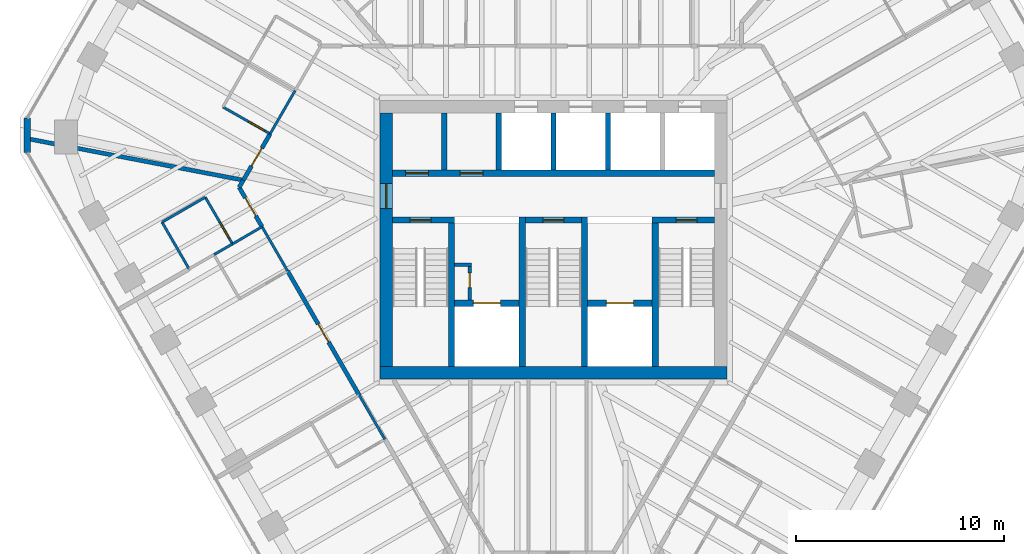
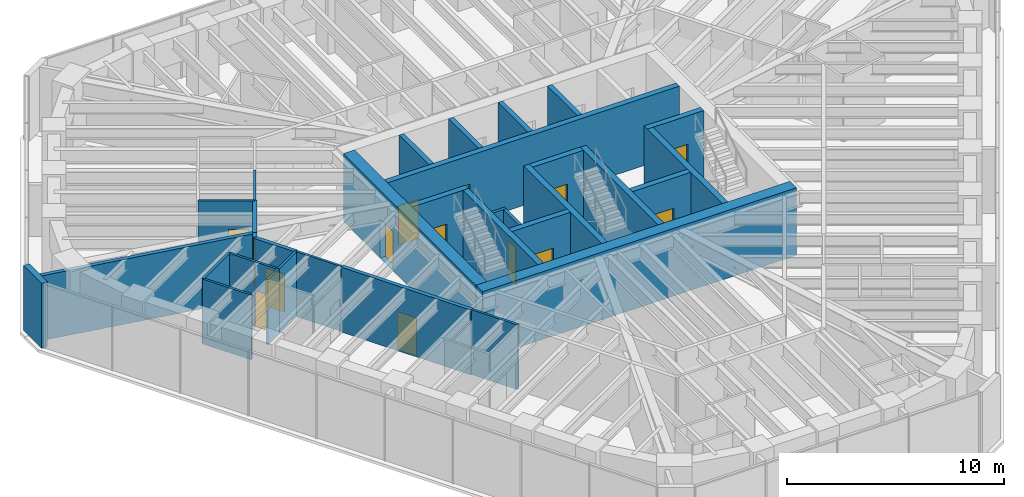
# One storey, part 10 of 14: 33 walls, 14 doors, 14 openings.
"""IFC4 building model written with IfcOpenShell, lengths in metres."""

from ifc_helpers import new_model, si_unit, direction, frame, frame_2d, origin, place, context, subcontext, project, spatial, rectangle, extrude, material, layer, layer_set, type_object, element, fill, save


model = new_model("IFC4")

# Units and contexts
model_context = context("Model", 3, precision=1e-05, world=origin(), true_north=direction((0.0, 1.0)))
body_context = subcontext(model_context, "Body", "Model", "MODEL_VIEW")
ifc_project = project(units=[si_unit("LENGTHUNIT", "METRE"), si_unit("AREAUNIT", "SQUARE_METRE"), si_unit("VOLUMEUNIT", "CUBIC_METRE"), si_unit("PLANEANGLEUNIT", "RADIAN"), si_unit("MASSUNIT", "GRAM", prefix="KILO")], contexts=[model_context])

# Site, building, storey
site_placement = place(None, origin())
site = spatial("IfcSite", under=ifc_project, at=site_placement, CompositionType="ELEMENT")
building_placement = place(site_placement, origin())
building = spatial("IfcBuilding", under=site, at=building_placement, Name="Sandreach Pilgrim Tower", CompositionType="ELEMENT")
storey_placement = place(building_placement, frame((0.0, 0.0, 260.800048828125)))
storey = spatial("IfcBuildingStorey", under=building, at=storey_placement, Name="L65", CompositionType="ELEMENT", Elevation=260.800048828125)

# Walls
ifc_material_1 = material(Name="Moisture-resistant gypsum board on steel studs", Category="steel")
ifc_layer_1 = layer(ifc_material_1, 0.1201171875)
ifc_layer_set_1 = layer_set([ifc_layer_1], Name="Bathroom partition 120")
wall_type_1 = type_object("IfcWallType", Name="Bathroom partition 120", PredefinedType="PARTITIONING", material=ifc_layer_set_1)
wall_1_placement = place(storey_placement, frame((-18.830078125, 0.85009765625, 0.0), z_axis=(0.0, 0.0, 1.0), x_axis=(0.50025099007, -0.865880446098, 0.0)))
element("IfcWall", 1, at=wall_1_placement, inside=storey, type_object=wall_type_1, Name="Bathroom partition L65-004", PredefinedType="PARTITIONING", context=body_context, shape_type="SweptSolid", body=[
    extrude(rectangle(XDim=2.598876953125, YDim=0.1201171875, at=frame_2d((1.29931640625, 0.0))), origin(), (0.0, 0.0, 1.0), 3.639892578125),
])
wall_2_placement = place(storey_placement, frame((-16.75, 2.050048828125, 0.0), z_axis=(0.0, 0.0, 1.0), x_axis=(-0.866202511239, -0.499693115345, 0.0)))
element("IfcWall", 2, at=wall_2_placement, inside=storey, type_object=wall_type_1, Name="Bathroom partition L65-007", PredefinedType="PARTITIONING", context=body_context, shape_type="SweptSolid", body=[
    extrude(rectangle(XDim=2.4013671875, YDim=0.1201171875, at=frame_2d((1.20068359375, 0.0))), origin(), (0.0, 0.0, 1.0), 3.639892578125),
])
wall_3_placement = place(storey_placement, frame((-16.330078125, -0.7099609375, 0.0), z_axis=(0.0, 0.0, 1.0), x_axis=(0.867671417222, 0.497138121387, 0.0)))
element("IfcWall", 3, at=wall_3_placement, inside=storey, type_object=wall_type_1, Name="Bathroom partition L65-008", PredefinedType="PARTITIONING", context=body_context, shape_type="SweptSolid", body=[
    extrude(rectangle(XDim=1.02587890625, YDim=0.1201171875, at=frame_2d((0.512939453125, 0.0))), origin(), (0.0, 0.0, 1.0), 3.639892578125),
])

# Wall, opening, door
wall_4_placement = place(storey_placement, frame((-15.89990234375, 6.389892578125, 0.0), z_axis=(0.0, 0.0, 1.0), x_axis=(0.869431908012, -0.494052787999, 0.0)))
wall_4 = element("IfcWall", 4, at=wall_4_placement, inside=storey, type_object=wall_type_1, Name="Bathroom partition L65-011", PredefinedType="PARTITIONING", context=body_context, shape_type="SweptSolid", body=[
    extrude(rectangle(XDim=2.610595703125, YDim=0.1201171875, at=frame_2d((1.30517578125, 0.0))), origin(), (0.0, 0.0, 1.0), 3.639892578125),
])
opening_1_placement = place(wall_4_placement, frame((1.410888671875, 0.0, 0.0)))
opening_1 = element("IfcOpeningElement", 5, at=opening_1_placement, cuts=wall_4, Name="Opening D09-16B", PredefinedType="OPENING", context=body_context, shape_type="SweptSolid", body=[
    extrude(rectangle(XDim=0.89990234375, YDim=2.030029296875, at=frame_2d((0.449951171875, 1.01513671875))), frame((0.0, 0.06005859375, 0.0), z_axis=(0.0, -1.0, 0.0), x_axis=(1.0, 0.0, 0.0)), (0.0, 0.0, 1.0), 0.1201171875),
])
ifc_material_2 = material(Name="Timber door, steel frame", Category="steel")
door_type_1 = type_object("IfcDoorType", Name="Bathroom door", OperationType="SINGLE_SWING_LEFT", PredefinedType="DOOR", material=ifc_material_2)
door_1_placement = place(opening_1_placement, origin())
door_1 = element("IfcDoor", 6, at=door_1_placement, inside=storey, type_object=door_type_1, Name="Door 6516B", OperationType="SINGLE_SWING_RIGHT", OverallHeight=2.030029296875, OverallWidth=0.89990234375, PredefinedType="DOOR", context=body_context, shape_type="SweptSolid", body=[
    extrude(rectangle(XDim=0.89990234375, YDim=2.030029296875, at=frame_2d((0.449951171875, 1.01513671875))), frame((0.0, 0.02490234375, 0.0), z_axis=(0.0, -1.0, 0.0), x_axis=(1.0, 0.0, 0.0)), (0.0, 0.0, 1.0), 0.050048828125),
])
fill(opening_1, door_1)

wall_5_placement = place(storey_placement, frame((-15.43994140625, -0.199951171875, 0.0), z_axis=(0.0, 0.0, 1.0), x_axis=(-0.503171227198, 0.864186736834, 0.0)))
wall_5 = element("IfcWall", 7, at=wall_5_placement, inside=storey, type_object=wall_type_1, Name="Bathroom partition L65-012", PredefinedType="PARTITIONING", context=body_context, shape_type="SweptSolid", body=[
    extrude(rectangle(XDim=2.603515625, YDim=0.1201171875, at=frame_2d((1.3017578125, 0.0))), origin(), (0.0, 0.0, 1.0), 3.639892578125),
])
opening_2_placement = place(wall_5_placement, frame((0.300048828125, 0.0, 0.0)))
opening_2 = element("IfcOpeningElement", 8, at=opening_2_placement, cuts=wall_5, Name="Opening D09-15B", PredefinedType="OPENING", context=body_context, shape_type="SweptSolid", body=[
    extrude(rectangle(XDim=0.89990234375, YDim=2.030029296875, at=frame_2d((0.449951171875, 1.01513671875))), frame((0.0, 0.06005859375, 0.0), z_axis=(0.0, -1.0, 0.0), x_axis=(1.0, 0.0, 0.0)), (0.0, 0.0, 1.0), 0.1201171875),
])
door_2_placement = place(opening_2_placement, origin())
door_2 = element("IfcDoor", 9, at=door_2_placement, inside=storey, type_object=door_type_1, Name="Door 6515B", OperationType="SINGLE_SWING_LEFT", OverallHeight=2.030029296875, OverallWidth=0.89990234375, PredefinedType="DOOR", context=body_context, shape_type="SweptSolid", body=[
    extrude(rectangle(XDim=0.89990234375, YDim=2.030029296875, at=frame_2d((0.449951171875, 1.01513671875))), frame((0.0, 0.02490234375, 0.0), z_axis=(0.0, -1.0, 0.0), x_axis=(1.0, 0.0, 0.0)), (0.0, 0.0, 1.0), 0.050048828125),
])
fill(opening_2, door_2)

# Walls
wall_6_placement = place(storey_placement, frame((-15.43994140625, -0.199951171875, 0.0), z_axis=(0.0, 0.0, 1.0), x_axis=(0.863304753898, 0.504682971673, 0.0)))
element("IfcWall", 10, at=wall_6_placement, inside=storey, type_object=wall_type_1, Name="Bathroom partition L65-013", PredefinedType="PARTITIONING", context=body_context, shape_type="SweptSolid", body=[
    extrude(rectangle(XDim=1.644775390625, YDim=0.1201171875, at=frame_2d((0.822265625, 0.0))), origin(), (0.0, 0.0, 1.0), 3.639892578125),
])
wall_7_placement = place(storey_placement, frame((-14.02001953125, 0.6298828125, 0.0), z_axis=(0.0, 0.0, 1.0), x_axis=(0.500089055364, -0.86597398154, 0.0)))
element("IfcWall", 11, at=wall_7_placement, inside=storey, type_object=wall_type_1, Name="Bathroom partition L65-020", PredefinedType="PARTITIONING", context=body_context, shape_type="SweptSolid", body=[
    extrude(rectangle(XDim=2.45947265625, YDim=0.1201171875, at=frame_2d((1.229736328125, 0.0))), origin(), (0.0, 0.0, 1.0), 3.639892578125),
])
wall_8_placement = place(storey_placement, frame((-13.6298828125, 5.10009765625, 0.0), z_axis=(0.0, 0.0, 1.0), x_axis=(0.499737123639, 0.866177122335, 0.0)))
element("IfcWall", 12, at=wall_8_placement, inside=storey, type_object=wall_type_1, Name="Bathroom partition L65-021", PredefinedType="PARTITIONING", context=body_context, shape_type="SweptSolid", body=[
    extrude(rectangle(XDim=2.401123046875, YDim=0.1201171875, at=frame_2d((1.20068359375, 0.0))), origin(), (0.0, 0.0, 1.0), 3.639892578125),
])
wall_9_placement = place(storey_placement, frame((-9.340087890625, -7.47998046875, 0.0), z_axis=(0.0, 0.0, 1.0), x_axis=(0.501813488763, -0.864975850817, 0.0)))
element("IfcWall", 13, at=wall_9_placement, inside=storey, type_object=wall_type_1, Name="Bathroom partition L65-034", PredefinedType="PARTITIONING", context=body_context, shape_type="SweptSolid", body=[
    extrude(rectangle(XDim=2.451171875, YDim=0.1201171875, at=frame_2d((1.2255859375, 0.0))), origin(), (0.0, 0.0, 1.0), 3.639892578125),
])
ifc_material_3 = material(Name="Concrete 10000 psi", Category="concrete")
ifc_layer_2 = layer(ifc_material_3, 0.300048828125)
ifc_layer_set_2 = layer_set([ifc_layer_2], Name="Core inner wall 300")
wall_type_2 = type_object("IfcWallType", Name="Core inner wall 300", PredefinedType="SHEAR", material=ifc_layer_set_2)
for number, where, z_axis, x_axis, name in (
    (14, (-4.89990234375, -6.10009765625, 0.0), (0.0, 0.0, 1.0), (0.0, 1.0, 0.0), "Core wall I0 L65"),
    (15, (-1.5, -6.10009765625, 0.0), (0.0, 0.0, 1.0), (0.0, 1.0, 0.0), "Core wall I1 L65"),
    (16, (1.5, -6.10009765625, 0.0), (0.0, 0.0, 1.0), (0.0, 1.0, 0.0), "Core wall I2 L65"),
    (17, (4.89990234375, -6.10009765625, 0.0), (0.0, 0.0, 1.0), (0.0, 1.0, 0.0), "Core wall I3 L65"),
):
    element("IfcWall", number, at=place(storey_placement, frame(where, z_axis=z_axis, x_axis=x_axis)), inside=storey, type_object=wall_type_2, Name=name, PredefinedType="SHEAR", context=body_context, shape_type="SweptSolid", body=[
        extrude(rectangle(XDim=7.2001953125, YDim=0.300048828125, at=frame_2d((3.60009765625, 0.0))), origin(), (0.0, 0.0, 1.0), 3.800048828125),
    ])

# Wall, opening, door
wall_10_placement = place(storey_placement, frame((-7.75, 0.949951171875, 0.0), z_axis=(0.0, 0.0, 1.0), x_axis=(1.0, 0.0, 0.0)))
wall_10 = element("IfcWall", 18, at=wall_10_placement, inside=storey, type_object=wall_type_2, Name="Core wall SN1 L65", PredefinedType="SHEAR", context=body_context, shape_type="SweptSolid", body=[
    extrude(rectangle(XDim=3.0, YDim=0.300048828125, at=frame_2d((1.5, 0.0))), origin(), (0.0, 0.0, 1.0), 3.800048828125),
])
opening_3_placement = place(wall_10_placement, frame((0.85009765625, 0.0, 0.0)))
opening_3 = element("IfcOpeningElement", 19, at=opening_3_placement, cuts=wall_10, Name="Opening D10S-ST1", PredefinedType="OPENING", context=body_context, shape_type="SweptSolid", body=[
    extrude(rectangle(XDim=1.0, YDim=2.199951171875, at=frame_2d((0.5, 1.10009765625))), frame((0.0, 0.14990234375, 0.0), z_axis=(0.0, -1.0, 0.0), x_axis=(1.0, 0.0, 0.0)), (0.0, 0.0, 1.0), 0.300048828125),
])
ifc_material_4 = material(Name="Steel door and frame", Category="steel")
door_type_2 = type_object("IfcDoorType", Name="Stair door", OperationType="SINGLE_SWING_LEFT", PredefinedType="DOOR", material=ifc_material_4)
door_3_placement = place(opening_3_placement, origin())
door_3 = element("IfcDoor", 20, at=door_3_placement, inside=storey, type_object=door_type_2, Name="Stair door ST1 L65", OperationType="SINGLE_SWING_LEFT", OverallHeight=2.199951171875, OverallWidth=1.0, PredefinedType="DOOR", context=body_context, shape_type="SweptSolid", body=[
    extrude(rectangle(XDim=1.0, YDim=2.199951171875, at=frame_2d((0.5, 1.10009765625))), frame((0.0, 0.02490234375, 0.0), z_axis=(0.0, -1.0, 0.0), x_axis=(1.0, 0.0, 0.0)), (0.0, 0.0, 1.0), 0.050048828125),
])
fill(opening_3, door_3)

wall_11_placement = place(storey_placement, frame((-1.35009765625, 0.949951171875, 0.0), z_axis=(0.0, 0.0, 1.0), x_axis=(1.0, 0.0, 0.0)))
wall_11 = element("IfcWall", 21, at=wall_11_placement, inside=storey, type_object=wall_type_2, Name="Core wall SN3 L65", PredefinedType="SHEAR", context=body_context, shape_type="SweptSolid", body=[
    extrude(rectangle(XDim=2.7001953125, YDim=0.300048828125, at=frame_2d((1.35009765625, 0.0))), origin(), (0.0, 0.0, 1.0), 3.800048828125),
])
opening_4_placement = place(wall_11_placement, frame((0.85009765625, 0.0, 0.0)))
opening_4 = element("IfcOpeningElement", 22, at=opening_4_placement, cuts=wall_11, Name="Opening D10S-ST3", PredefinedType="OPENING", context=body_context, shape_type="SweptSolid", body=[
    extrude(rectangle(XDim=1.0, YDim=2.199951171875, at=frame_2d((0.5, 1.10009765625))), frame((0.0, 0.14990234375, 0.0), z_axis=(0.0, -1.0, 0.0), x_axis=(1.0, 0.0, 0.0)), (0.0, 0.0, 1.0), 0.300048828125),
])
door_4_placement = place(opening_4_placement, origin())
door_4 = element("IfcDoor", 23, at=door_4_placement, inside=storey, type_object=door_type_2, Name="Stair door ST3 L65", OperationType="SINGLE_SWING_LEFT", OverallHeight=2.199951171875, OverallWidth=1.0, PredefinedType="DOOR", context=body_context, shape_type="SweptSolid", body=[
    extrude(rectangle(XDim=1.0, YDim=2.199951171875, at=frame_2d((0.5, 1.10009765625))), frame((0.0, 0.02490234375, 0.0), z_axis=(0.0, -1.0, 0.0), x_axis=(1.0, 0.0, 0.0)), (0.0, 0.0, 1.0), 0.050048828125),
])
fill(opening_4, door_4)

wall_12_placement = place(storey_placement, frame((4.75, 0.949951171875, 0.0), z_axis=(0.0, 0.0, 1.0), x_axis=(1.0, 0.0, 0.0)))
wall_12 = element("IfcWall", 24, at=wall_12_placement, inside=storey, type_object=wall_type_2, Name="Core wall SN2 L65", PredefinedType="SHEAR", context=body_context, shape_type="SweptSolid", body=[
    extrude(rectangle(XDim=3.0, YDim=0.300048828125, at=frame_2d((1.5, 0.0))), origin(), (0.0, 0.0, 1.0), 3.800048828125),
])
opening_5_placement = place(wall_12_placement, frame((1.14990234375, 0.0, 0.0)))
opening_5 = element("IfcOpeningElement", 25, at=opening_5_placement, cuts=wall_12, Name="Opening D10S-ST2", PredefinedType="OPENING", context=body_context, shape_type="SweptSolid", body=[
    extrude(rectangle(XDim=1.0, YDim=2.199951171875, at=frame_2d((0.5, 1.10009765625))), frame((0.0, 0.14990234375, 0.0), z_axis=(0.0, -1.0, 0.0), x_axis=(1.0, 0.0, 0.0)), (0.0, 0.0, 1.0), 0.300048828125),
])
door_5_placement = place(opening_5_placement, origin())
door_5 = element("IfcDoor", 26, at=door_5_placement, inside=storey, type_object=door_type_2, Name="Stair door ST2 L65", OperationType="SINGLE_SWING_RIGHT", OverallHeight=2.199951171875, OverallWidth=1.0, PredefinedType="DOOR", context=body_context, shape_type="SweptSolid", body=[
    extrude(rectangle(XDim=1.0, YDim=2.199951171875, at=frame_2d((0.5, 1.10009765625))), frame((0.0, 0.02490234375, 0.0), z_axis=(0.0, -1.0, 0.0), x_axis=(1.0, 0.0, 0.0)), (0.0, 0.0, 1.0), 0.050048828125),
])
fill(opening_5, door_5)

wall_13_placement = place(storey_placement, frame((-4.75, -3.050048828125, 0.0), z_axis=(0.0, 0.0, 1.0), x_axis=(1.0, 0.0, 0.0)))
wall_13 = element("IfcWall", 27, at=wall_13_placement, inside=storey, type_object=wall_type_2, Name="Core wall FL1 L65", PredefinedType="SHEAR", context=body_context, shape_type="SweptSolid", body=[
    extrude(rectangle(XDim=3.10009765625, YDim=0.300048828125, at=frame_2d((1.550048828125, 0.0))), origin(), (0.0, 0.0, 1.0), 3.800048828125),
])
opening_6_placement = place(wall_13_placement, frame((0.89990234375, 0.0, 0.0)))
opening_6 = element("IfcOpeningElement", 28, at=opening_6_placement, cuts=wall_13, Name="Opening LD13", PredefinedType="OPENING", context=body_context, shape_type="SweptSolid", body=[
    extrude(rectangle(XDim=1.300048828125, YDim=2.10009765625, at=frame_2d((0.64990234375, 1.050048828125))), frame((0.0, 0.14990234375, 0.0), z_axis=(0.0, -1.0, 0.0), x_axis=(1.0, 0.0, 0.0)), (0.0, 0.0, 1.0), 0.300048828125),
])
ifc_material_5 = material(Name="Steel door and frame", Category="steel")
door_type_3 = type_object("IfcDoorType", Name="Fire service lift landing door", OperationType="DOUBLE_DOOR_SLIDING", PredefinedType="DOOR", material=ifc_material_5)
door_6_placement = place(opening_6_placement, origin())
door_6 = element("IfcDoor", 29, at=door_6_placement, inside=storey, type_object=door_type_3, Name="Lift landing door FS1 L65", OperationType="DOUBLE_DOOR_SLIDING", OverallHeight=2.10009765625, OverallWidth=1.300048828125, PredefinedType="DOOR", context=body_context, shape_type="SweptSolid", body=[
    extrude(rectangle(XDim=1.300048828125, YDim=2.10009765625, at=frame_2d((0.64990234375, 1.050048828125))), frame((0.0, 0.02490234375, 0.0), z_axis=(0.0, -1.0, 0.0), x_axis=(1.0, 0.0, 0.0)), (0.0, 0.0, 1.0), 0.050048828125),
])
fill(opening_6, door_6)

wall_14_placement = place(storey_placement, frame((1.64990234375, -3.050048828125, 0.0), z_axis=(0.0, 0.0, 1.0), x_axis=(1.0, 0.0, 0.0)))
wall_14 = element("IfcWall", 30, at=wall_14_placement, inside=storey, type_object=wall_type_2, Name="Core wall FL2 L65", PredefinedType="SHEAR", context=body_context, shape_type="SweptSolid", body=[
    extrude(rectangle(XDim=3.10009765625, YDim=0.300048828125, at=frame_2d((1.550048828125, 0.0))), origin(), (0.0, 0.0, 1.0), 3.800048828125),
])
opening_7_placement = place(wall_14_placement, frame((0.89990234375, 0.0, 0.0)))
opening_7 = element("IfcOpeningElement", 31, at=opening_7_placement, cuts=wall_14, Name="Opening LD13", PredefinedType="OPENING", context=body_context, shape_type="SweptSolid", body=[
    extrude(rectangle(XDim=1.300048828125, YDim=2.10009765625, at=frame_2d((0.64990234375, 1.050048828125))), frame((0.0, 0.14990234375, 0.0), z_axis=(0.0, -1.0, 0.0), x_axis=(1.0, 0.0, 0.0)), (0.0, 0.0, 1.0), 0.300048828125),
])
door_7_placement = place(opening_7_placement, origin())
door_7 = element("IfcDoor", 32, at=door_7_placement, inside=storey, type_object=door_type_3, Name="Lift landing door FS2 L65", OperationType="DOUBLE_DOOR_SLIDING", OverallHeight=2.10009765625, OverallWidth=1.300048828125, PredefinedType="DOOR", context=body_context, shape_type="SweptSolid", body=[
    extrude(rectangle(XDim=1.300048828125, YDim=2.10009765625, at=frame_2d((0.64990234375, 1.050048828125))), frame((0.0, 0.02490234375, 0.0), z_axis=(0.0, -1.0, 0.0), x_axis=(1.0, 0.0, 0.0)), (0.0, 0.0, 1.0), 0.050048828125),
])
fill(opening_7, door_7)

# Wall, openings, doors
wall_15_placement = place(storey_placement, frame((-7.75, 3.199951171875, 0.0), z_axis=(0.0, 0.0, 1.0), x_axis=(1.0, 0.0, 0.0)))
wall_15 = element("IfcWall", 33, at=wall_15_placement, inside=storey, type_object=wall_type_2, Name="Core wall PN L65", PredefinedType="SHEAR", context=body_context, shape_type="SweptSolid", body=[
    extrude(rectangle(XDim=15.5, YDim=0.300048828125, at=frame_2d((7.75, 0.0))), origin(), (0.0, 0.0, 1.0), 3.800048828125),
])
opening_8_placement = place(wall_15_placement, frame((0.637451171875, 0.0, 0.0)))
opening_8 = element("IfcOpeningElement", 34, at=opening_8_placement, cuts=wall_15, Name="Opening D11L", PredefinedType="OPENING", context=body_context, shape_type="SweptSolid", body=[
    extrude(rectangle(XDim=1.10009765625, YDim=2.199951171875, at=frame_2d((0.550048828125, 1.10009765625))), frame((0.0, 0.14990234375, 0.0), z_axis=(0.0, -1.0, 0.0), x_axis=(1.0, 0.0, 0.0)), (0.0, 0.0, 1.0), 0.300048828125),
])
opening_9_placement = place(wall_15_placement, frame((3.262451171875, 0.0, 0.0)))
opening_9 = element("IfcOpeningElement", 35, at=opening_9_placement, cuts=wall_15, Name="Opening D11L", PredefinedType="OPENING", context=body_context, shape_type="SweptSolid", body=[
    extrude(rectangle(XDim=1.10009765625, YDim=2.199951171875, at=frame_2d((0.550048828125, 1.10009765625))), frame((0.0, 0.14990234375, 0.0), z_axis=(0.0, -1.0, 0.0), x_axis=(1.0, 0.0, 0.0)), (0.0, 0.0, 1.0), 0.300048828125),
])
ifc_material_6 = material(Name="Steel door and frame, smoke seals", Category="steel")
door_type_4 = type_object("IfcDoorType", Name="Core room door", OperationType="SINGLE_SWING_LEFT", PredefinedType="DOOR", material=ifc_material_6)
door_8_placement = place(opening_8_placement, origin())
door_8 = element("IfcDoor", 36, at=door_8_placement, inside=storey, type_object=door_type_4, Name="Door butler pantry 65K1", OperationType="SINGLE_SWING_LEFT", OverallHeight=2.199951171875, OverallWidth=1.10009765625, PredefinedType="DOOR", context=body_context, shape_type="SweptSolid", body=[
    extrude(rectangle(XDim=1.10009765625, YDim=2.199951171875, at=frame_2d((0.550048828125, 1.10009765625))), frame((0.0, 0.02490234375, 0.0), z_axis=(0.0, -1.0, 0.0), x_axis=(1.0, 0.0, 0.0)), (0.0, 0.0, 1.0), 0.050048828125),
])
fill(opening_8, door_8)
door_9_placement = place(opening_9_placement, origin())
door_9 = element("IfcDoor", 37, at=door_9_placement, inside=storey, type_object=door_type_4, Name="Door storage room 65K2", OperationType="SINGLE_SWING_LEFT", OverallHeight=2.199951171875, OverallWidth=1.10009765625, PredefinedType="DOOR", context=body_context, shape_type="SweptSolid", body=[
    extrude(rectangle(XDim=1.10009765625, YDim=2.199951171875, at=frame_2d((0.550048828125, 1.10009765625))), frame((0.0, 0.02490234375, 0.0), z_axis=(0.0, -1.0, 0.0), x_axis=(1.0, 0.0, 0.0)), (0.0, 0.0, 1.0), 0.050048828125),
])
fill(opening_9, door_9)

# Wall
ifc_material_7 = material(Name="Concrete 10000 psi", Category="concrete")
ifc_layer_3 = layer(ifc_material_7, 0.60009765625)
ifc_layer_set_3 = layer_set([ifc_layer_3], Name="Core wall 600")
wall_type_3 = type_object("IfcWallType", Name="Core wall 600", PredefinedType="SHEAR", material=ifc_layer_set_3)
wall_16_placement = place(storey_placement, frame((-8.35009765625, -6.39990234375, 0.0), z_axis=(0.0, 0.0, 1.0), x_axis=(1.0, 0.0, 0.0)))
element("IfcWall", 38, at=wall_16_placement, inside=storey, type_object=wall_type_3, Name="Core wall S L65", PredefinedType="SHEAR", context=body_context, shape_type="SweptSolid", body=[
    extrude(rectangle(XDim=16.7001953125, YDim=0.60009765625, at=frame_2d((8.35009765625, 0.0))), origin(), (0.0, 0.0, 1.0), 3.800048828125),
])

# Wall, opening, door
wall_17_placement = place(storey_placement, frame((-8.050048828125, -6.10009765625, 0.0), z_axis=(0.0, 0.0, 1.0), x_axis=(0.0, 1.0, 0.0)))
wall_17 = element("IfcWall", 39, at=wall_17_placement, inside=storey, type_object=wall_type_3, Name="Core wall W L65", PredefinedType="SHEAR", context=body_context, shape_type="SweptSolid", body=[
    extrude(rectangle(XDim=12.2001953125, YDim=0.60009765625, at=frame_2d((6.10009765625, 0.0))), origin(), (0.0, 0.0, 1.0), 3.800048828125),
])
opening_10_placement = place(wall_17_placement, frame((7.60009765625, 0.0, 0.0)))
opening_10 = element("IfcOpeningElement", 40, at=opening_10_placement, cuts=wall_17, Name="Opening D12F-W", PredefinedType="OPENING", context=body_context, shape_type="SweptSolid", body=[
    extrude(rectangle(XDim=1.199951171875, YDim=2.199951171875, at=frame_2d((0.60009765625, 1.10009765625))), frame((0.0, 0.300048828125, 0.0), z_axis=(0.0, -1.0, 0.0), x_axis=(1.0, 0.0, 0.0)), (0.0, 0.0, 1.0), 0.60009765625),
])
ifc_material_8 = material(Name="Steel door and frame", Category="steel")
door_type_5 = type_object("IfcDoorType", Name="Fire lobby door", OperationType="SINGLE_SWING_LEFT", PredefinedType="DOOR", material=ifc_material_8)
door_10_placement = place(opening_10_placement, origin())
door_10 = element("IfcDoor", 41, at=door_10_placement, inside=storey, type_object=door_type_5, Name="Fire service lobby door W L65", OperationType="SINGLE_SWING_RIGHT", OverallHeight=2.199951171875, OverallWidth=1.199951171875, PredefinedType="DOOR", context=body_context, shape_type="SweptSolid", body=[
    extrude(rectangle(XDim=1.199951171875, YDim=2.199951171875, at=frame_2d((0.60009765625, 1.10009765625))), frame((0.0, 0.02490234375, 0.0), z_axis=(0.0, -1.0, 0.0), x_axis=(1.0, 0.0, 0.0)), (0.0, 0.0, 1.0), 0.050048828125),
])
fill(opening_10, door_10)

# Wall
ifc_material_9 = material(Name="Gypsum board on steel studs, two layers each side", Category="steel")
ifc_layer_4 = layer(ifc_material_9, 0.199951171875)
ifc_layer_set_4 = layer_set([ifc_layer_4], Name="Corridor wall 200")
wall_type_4 = type_object("IfcWallType", Name="Corridor wall 200", PredefinedType="PARTITIONING", material=ifc_layer_set_4)
wall_18_placement = place(storey_placement, frame((-15.1201171875, 2.530029296875, 0.0), z_axis=(0.0, 0.0, 1.0), x_axis=(0.507290461451, 0.861775137562, 0.0)))
element("IfcWall", 42, at=wall_18_placement, inside=storey, type_object=wall_type_4, Name="Corridor wall L65-014", PredefinedType="PARTITIONING", context=body_context, shape_type="SweptSolid", body=[
    extrude(rectangle(XDim=0.39453125, YDim=0.199951171875, at=frame_2d((0.197265625, 0.0))), origin(), (0.0, 0.0, 1.0), 3.639892578125),
])

# Wall, opening, door
wall_19_placement = place(storey_placement, frame((-15.1201171875, 2.530029296875, 0.0), z_axis=(0.0, 0.0, 1.0), x_axis=(0.501088872721, -0.865395829453, 0.0)))
wall_19 = element("IfcWall", 43, at=wall_19_placement, inside=storey, type_object=wall_type_4, Name="Corridor wall L65-015", PredefinedType="PARTITIONING", context=body_context, shape_type="SweptSolid", body=[
    extrude(rectangle(XDim=2.1953125, YDim=0.199951171875, at=frame_2d((1.09765625, 0.0))), origin(), (0.0, 0.0, 1.0), 3.639892578125),
])
opening_11_placement = place(wall_19_placement, frame((0.59765625, 0.0, 0.0)))
opening_11 = element("IfcOpeningElement", 44, at=opening_11_placement, cuts=wall_19, Name="Opening D10-15", PredefinedType="OPENING", context=body_context, shape_type="SweptSolid", body=[
    extrude(rectangle(XDim=1.0, YDim=2.1298828125, at=frame_2d((0.5, 1.06494140625))), frame((0.0, 0.10009765625, 0.0), z_axis=(0.0, -1.0, 0.0), x_axis=(1.0, 0.0, 0.0)), (0.0, 0.0, 1.0), 0.199951171875),
])
ifc_material_10 = material(Name="Steel door and frame", Category="steel")
door_type_6 = type_object("IfcDoorType", Name="Guest room entry door", OperationType="SINGLE_SWING_LEFT", PredefinedType="DOOR", material=ifc_material_10)
door_11_placement = place(opening_11_placement, origin())
door_11 = element("IfcDoor", 45, at=door_11_placement, inside=storey, type_object=door_type_6, Name="Door 6515", OperationType="SINGLE_SWING_LEFT", OverallHeight=2.1298828125, OverallWidth=1.0, PredefinedType="DOOR", context=body_context, shape_type="SweptSolid", body=[
    extrude(rectangle(XDim=1.0, YDim=2.1298828125, at=frame_2d((0.5, 1.06494140625))), frame((0.0, 0.02490234375, 0.0), z_axis=(0.0, -1.0, 0.0), x_axis=(1.0, 0.0, 0.0)), (0.0, 0.0, 1.0), 0.050048828125),
])
fill(opening_11, door_11)

wall_20_placement = place(storey_placement, frame((-14.919921875, 2.8701171875, 0.0), z_axis=(0.0, 0.0, 1.0), x_axis=(0.500714932888, 0.865612243434, 0.0)))
wall_20 = element("IfcWall", 46, at=wall_20_placement, inside=storey, type_object=wall_type_4, Name="Corridor wall L65-017", PredefinedType="PARTITIONING", context=body_context, shape_type="SweptSolid", body=[
    extrude(rectangle(XDim=2.575927734375, YDim=0.199951171875, at=frame_2d((1.2880859375, 0.0))), origin(), (0.0, 0.0, 1.0), 3.639892578125),
])
opening_12_placement = place(wall_20_placement, frame((0.7880859375, 0.0, 0.0)))
opening_12 = element("IfcOpeningElement", 47, at=opening_12_placement, cuts=wall_20, Name="Opening D10-16", PredefinedType="OPENING", context=body_context, shape_type="SweptSolid", body=[
    extrude(rectangle(XDim=1.0, YDim=2.1298828125, at=frame_2d((0.5, 1.06494140625))), frame((0.0, 0.10009765625, 0.0), z_axis=(0.0, -1.0, 0.0), x_axis=(1.0, 0.0, 0.0)), (0.0, 0.0, 1.0), 0.199951171875),
])
door_12_placement = place(opening_12_placement, origin())
door_12 = element("IfcDoor", 48, at=door_12_placement, inside=storey, type_object=door_type_6, Name="Door 6516", OperationType="SINGLE_SWING_LEFT", OverallHeight=2.1298828125, OverallWidth=1.0, PredefinedType="DOOR", context=body_context, shape_type="SweptSolid", body=[
    extrude(rectangle(XDim=1.0, YDim=2.1298828125, at=frame_2d((0.5, 1.06494140625))), frame((0.0, 0.02490234375, 0.0), z_axis=(0.0, -1.0, 0.0), x_axis=(1.0, 0.0, 0.0)), (0.0, 0.0, 1.0), 0.050048828125),
])
fill(opening_12, door_12)

wall_21_placement = place(storey_placement, frame((-12.7900390625, -1.5, 0.0), z_axis=(0.0, 0.0, 1.0), x_axis=(0.499718371597, -0.866187940974, 0.0)))
wall_21 = element("IfcWall", 49, at=wall_21_placement, inside=storey, type_object=wall_type_4, Name="Corridor wall L65-023", PredefinedType="PARTITIONING", context=body_context, shape_type="SweptSolid", body=[
    extrude(rectangle(XDim=6.90380859375, YDim=0.199951171875, at=frame_2d((3.451904296875, 0.0))), origin(), (0.0, 0.0, 1.0), 3.639892578125),
])
opening_13_placement = place(wall_21_placement, frame((2.951904296875, 0.0, 0.0)))
opening_13 = element("IfcOpeningElement", 50, at=opening_13_placement, cuts=wall_21, Name="Opening D10-14", PredefinedType="OPENING", context=body_context, shape_type="SweptSolid", body=[
    extrude(rectangle(XDim=1.0, YDim=2.1298828125, at=frame_2d((0.5, 1.06494140625))), frame((0.0, 0.10009765625, 0.0), z_axis=(0.0, -1.0, 0.0), x_axis=(1.0, 0.0, 0.0)), (0.0, 0.0, 1.0), 0.199951171875),
])
door_13_placement = place(opening_13_placement, origin())
door_13 = element("IfcDoor", 51, at=door_13_placement, inside=storey, type_object=door_type_6, Name="Door 6514", OperationType="SINGLE_SWING_LEFT", OverallHeight=2.1298828125, OverallWidth=1.0, PredefinedType="DOOR", context=body_context, shape_type="SweptSolid", body=[
    extrude(rectangle(XDim=1.0, YDim=2.1298828125, at=frame_2d((0.5, 1.06494140625))), frame((0.0, 0.02490234375, 0.0), z_axis=(0.0, -1.0, 0.0), x_axis=(1.0, 0.0, 0.0)), (0.0, 0.0, 1.0), 0.050048828125),
])
fill(opening_13, door_13)

# Wall
ifc_material_11 = material(Name="Double steel stud acoustic wall, gypsum board", Category="steel")
ifc_layer_5 = layer(ifc_material_11, 0.199951171875)
ifc_layer_set_5 = layer_set([ifc_layer_5], Name="Party wall 200")
wall_type_5 = type_object("IfcWallType", Name="Party wall 200", PredefinedType="PARTITIONING", material=ifc_layer_set_5)
wall_22_placement = place(storey_placement, frame((-25.340576171875, 4.874267578125, 0.0), z_axis=(0.0, 0.0, 1.0), x_axis=(0.982001168061, -0.188874841966, 0.0)))
element("IfcWall", 52, at=wall_22_placement, inside=storey, type_object=wall_type_5, Name="Party wall L65-001", PredefinedType="PARTITIONING", context=body_context, shape_type="SweptSolid", body=[
    extrude(rectangle(XDim=10.556640625, YDim=0.199951171875, at=frame_2d((5.2783203125, 0.0))), origin(), (0.0, 0.0, 1.0), 3.639892578125),
])

# Wall, opening, door
ifc_material_12 = material(Name="Gypsum shaft wall on steel studs, shaft liner board", Category="steel")
ifc_layer_6 = layer(ifc_material_12, 0.14990234375)
ifc_layer_set_6 = layer_set([ifc_layer_6], Name="Riser shaft wall 150")
wall_type_6 = type_object("IfcWallType", Name="Riser shaft wall 150", PredefinedType="PARTITIONING", material=ifc_layer_set_6)
wall_23_placement = place(storey_placement, frame((-4.02490234375, -2.89990234375, 0.0), z_axis=(0.0, 0.0, 1.0), x_axis=(0.0, 1.0, 0.0)))
wall_23 = element("IfcWall", 53, at=wall_23_placement, inside=storey, type_object=wall_type_6, Name="Riser partition L65 side", PredefinedType="PARTITIONING", context=body_context, shape_type="SweptSolid", body=[
    extrude(rectangle(XDim=1.77490234375, YDim=0.14990234375, at=frame_2d((0.887451171875, 0.0))), origin(), (0.0, 0.0, 1.0), 3.639892578125),
])
opening_14_placement = place(wall_23_placement, frame((0.60009765625, 0.0, 0.0)))
opening_14 = element("IfcOpeningElement", 54, at=opening_14_placement, cuts=wall_23, Name="Opening D07R", PredefinedType="OPENING", context=body_context, shape_type="SweptSolid", body=[
    extrude(rectangle(XDim=0.699951171875, YDim=2.10009765625, at=frame_2d((0.35009765625, 1.050048828125))), frame((0.0, 0.074951171875, 0.0), z_axis=(0.0, -1.0, 0.0), x_axis=(1.0, 0.0, 0.0)), (0.0, 0.0, 1.0), 0.14990234375),
])
ifc_material_13 = material(Name="Steel door and frame, smoke seals", Category="steel")
door_type_7 = type_object("IfcDoorType", Name="Riser access door", OperationType="SINGLE_SWING_RIGHT", PredefinedType="DOOR", material=ifc_material_13)
door_14_placement = place(opening_14_placement, origin())
door_14 = element("IfcDoor", 55, at=door_14_placement, inside=storey, type_object=door_type_7, Name="Door riser 65ER", OperationType="SINGLE_SWING_RIGHT", OverallHeight=2.10009765625, OverallWidth=0.699951171875, PredefinedType="DOOR", context=body_context, shape_type="SweptSolid", body=[
    extrude(rectangle(XDim=0.699951171875, YDim=2.10009765625, at=frame_2d((0.35009765625, 1.050048828125))), frame((0.0, 0.02490234375, 0.0), z_axis=(0.0, -1.0, 0.0), x_axis=(1.0, 0.0, 0.0)), (0.0, 0.0, 1.0), 0.050048828125),
])
fill(opening_14, door_14)

# Walls
wall_24_placement = place(storey_placement, frame((-4.75, -1.199951171875, 0.0), z_axis=(0.0, 0.0, 1.0), x_axis=(1.0, 0.0, 0.0)))
element("IfcWall", 56, at=wall_24_placement, inside=storey, type_object=wall_type_6, Name="Riser partition L65 front", PredefinedType="PARTITIONING", context=body_context, shape_type="SweptSolid", body=[
    extrude(rectangle(XDim=0.800048828125, YDim=0.14990234375, at=frame_2d((0.39990234375, 0.0))), origin(), (0.0, 0.0, 1.0), 3.639892578125),
])
ifc_material_14 = material(Name="Gypsum shaft wall on steel studs, two layers of shaft liner board", Category="steel")
ifc_layer_7 = layer(ifc_material_14, 0.25)
ifc_layer_set_7 = layer_set([ifc_layer_7], Name="Shaft partition 250")
wall_type_7 = type_object("IfcWallType", Name="Shaft partition 250", PredefinedType="PARTITIONING", material=ifc_layer_set_7)
for number, where, z_axis, x_axis, name in (
    (57, (-5.25, 3.35009765625, 0.0), (0.0, 0.0, 1.0), (0.0, 1.0, 0.0), "Shaft partition NS0 L65"),
    (58, (-2.625, 3.35009765625, 0.0), (0.0, 0.0, 1.0), (0.0, 1.0, 0.0), "Shaft partition NS1 L65"),
    (59, (0.0, 3.35009765625, 0.0), (0.0, 0.0, 1.0), (0.0, 1.0, 0.0), "Shaft partition NS2 L65"),
    (60, (2.625, 3.35009765625, 0.0), (0.0, 0.0, 1.0), (0.0, 1.0, 0.0), "Shaft partition NS3 L65"),
):
    element("IfcWall", number, at=place(storey_placement, frame(where, z_axis=z_axis, x_axis=x_axis)), inside=storey, type_object=wall_type_7, Name=name, PredefinedType="PARTITIONING", context=body_context, shape_type="SweptSolid", body=[
        extrude(rectangle(XDim=2.75, YDim=0.25, at=frame_2d((1.375, 0.0))), origin(), (0.0, 0.0, 1.0), 3.800048828125),
    ])
ifc_material_15 = material(Name="Terracotta rainscreen on concrete", Category="masonry")
ifc_layer_8 = layer(ifc_material_15, 0.300048828125)
ifc_layer_set_8 = layer_set([ifc_layer_8], Name="Terracotta chamfer pier")
wall_type_8 = type_object("IfcWallType", Name="Terracotta chamfer pier", PredefinedType="SOLIDWALL", material=ifc_layer_set_8)
wall_25_placement = place(storey_placement, frame((-25.3193359375, 4.20166015625, 0.0), z_axis=(0.0, 0.0, 1.0), x_axis=(0.0, 1.0, 0.0)))
element("IfcWall", 61, at=wall_25_placement, inside=storey, type_object=wall_type_8, Name="Chamfer pier L65 SW", PredefinedType="SOLIDWALL", context=body_context, shape_type="SweptSolid", body=[
    extrude(rectangle(XDim=1.659912109375, YDim=0.300048828125, at=frame_2d((0.830078125, 0.0))), origin(), (0.0, 0.0, 1.0), 3.639892578125),
])

save(model, "model.ifc")
